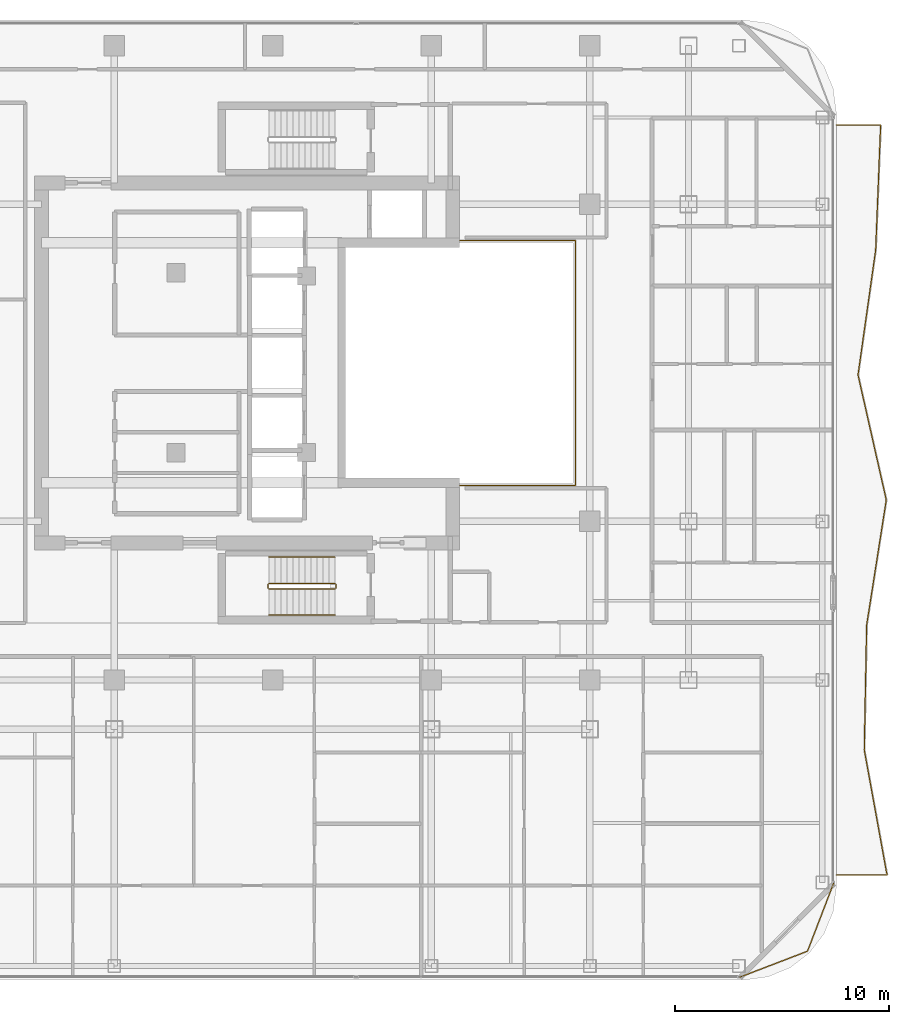
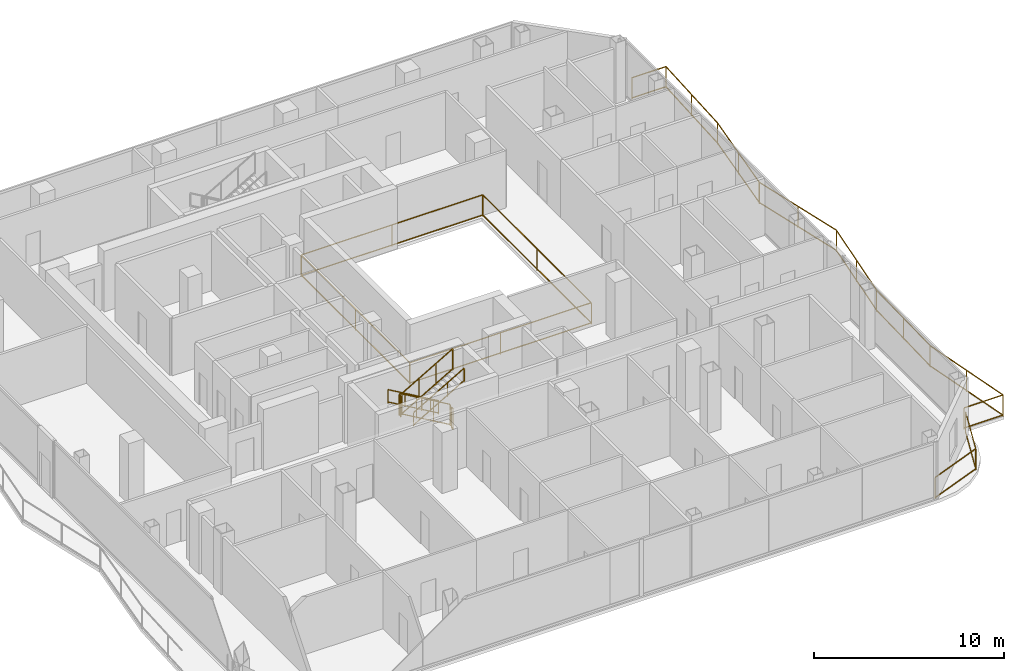
# One storey, part 26 of 27: 9 railings.
"""IFC4 building model written with IfcOpenShell, lengths in metres."""

from ifc_helpers import new_model, si_unit, direction, frame, origin, origin_2d, place, context, subcontext, project, spatial, rectangle, extrude, material, type_object, element, save


model = new_model("IFC4")

# Units and contexts
model_context = context("Model", 3, precision=1e-05, world=origin(), true_north=direction((0.0, 1.0)))
body_context = subcontext(model_context, "Body", "Model", "MODEL_VIEW")
ifc_project = project(units=[si_unit("LENGTHUNIT", "METRE"), si_unit("AREAUNIT", "SQUARE_METRE"), si_unit("VOLUMEUNIT", "CUBIC_METRE"), si_unit("PLANEANGLEUNIT", "RADIAN"), si_unit("MASSUNIT", "GRAM", prefix="KILO")], contexts=[model_context])

# Site, building, storey
site_placement = place(None, origin())
site = spatial("IfcSite", under=ifc_project, at=site_placement, CompositionType="ELEMENT")
building_placement = place(site_placement, origin())
building = spatial("IfcBuilding", under=site, at=building_placement, Name="Khorvyn Point Tower", CompositionType="ELEMENT")
storey_placement = place(building_placement, frame((0.0, 0.0, 243.0)))
storey = spatial("IfcBuildingStorey", under=building, at=storey_placement, Name="L59", CompositionType="ELEMENT", Elevation=243.0)

# Railings
ifc_material_1 = material(Name="Stainless steel 1.4401 and laminated glass", Category="steel")
railing_type_1 = type_object("IfcRailingType", Name="Crystal Atrium Smoke-Rated Perimeter Guardrail 1400", PredefinedType="GUARDRAIL", material=ifc_material_1)
railing_1_placement = place(storey_placement, frame((3.080078125, -5.719970703125, 0.0)))
element("IfcRailing", 1, at=railing_1_placement, inside=storey, type_object=railing_type_1, Name="L59 Crystal Atrium Perimeter Guardrail", PredefinedType="GUARDRAIL", context=body_context, shape_type="SweptSolid", body=[
    extrude(rectangle(XDim=0.048095703125, YDim=0.048095703125, at=origin_2d()), frame((0.0, 0.0, 1.3759765625), z_axis=(1.0, 0.0, 0.0), x_axis=(0.0, 1.0, 0.0)), (0.0, 0.0, 1.0), 11.0400390625),
    extrude(rectangle(XDim=0.048095703125, YDim=0.048095703125, at=origin_2d()), frame((0.0, 0.0, 0.080078125), z_axis=(1.0, 0.0, 0.0), x_axis=(0.0, 1.0, 0.0)), (0.0, 0.0, 1.0), 11.0400390625),
    extrude(rectangle(XDim=0.048095703125, YDim=0.048095703125, at=origin_2d()), frame((11.0400390625, 0.0, 1.3759765625), z_axis=(0.0, 1.0, 0.0), x_axis=(-1.0, 0.0, 0.0)), (0.0, 0.0, 1.0), 11.43994140625),
    extrude(rectangle(XDim=0.048095703125, YDim=0.048095703125, at=origin_2d()), frame((11.0400390625, 0.0, 0.080078125), z_axis=(0.0, 1.0, 0.0), x_axis=(-1.0, 0.0, 0.0)), (0.0, 0.0, 1.0), 11.43994140625),
    extrude(rectangle(XDim=0.048095703125, YDim=0.048095703125, at=origin_2d()), frame((11.0400390625, 11.43994140625, 1.3759765625), z_axis=(-1.0, 0.0, 0.0), x_axis=(0.0, -1.0, 0.0)), (0.0, 0.0, 1.0), 11.0400390625),
    extrude(rectangle(XDim=0.048095703125, YDim=0.048095703125, at=origin_2d()), frame((11.0400390625, 11.43994140625, 0.080078125), z_axis=(-1.0, 0.0, 0.0), x_axis=(0.0, -1.0, 0.0)), (0.0, 0.0, 1.0), 11.0400390625),
    extrude(rectangle(XDim=0.048095703125, YDim=0.048095703125, at=origin_2d()), frame((0.0, 11.43994140625, 1.3759765625), z_axis=(0.0, -1.0, 0.0), x_axis=(1.0, 0.0, 0.0)), (0.0, 0.0, 1.0), 11.409912109375),
    extrude(rectangle(XDim=0.048095703125, YDim=0.048095703125, at=origin_2d()), frame((0.0, 11.43994140625, 0.080078125), z_axis=(0.0, -1.0, 0.0), x_axis=(1.0, 0.0, 0.0)), (0.0, 0.0, 1.0), 11.409912109375),
    extrude(rectangle(XDim=0.0419921875, YDim=0.0419921875, at=origin_2d()), origin(), (0.0, 0.0, 1.0), 1.351806640625),
    extrude(rectangle(XDim=0.0419921875, YDim=0.0419921875, at=origin_2d()), frame((5.52001953125, 0.0, 0.0)), (0.0, 0.0, 1.0), 1.351806640625),
    extrude(rectangle(XDim=0.0419921875, YDim=0.0419921875, at=origin_2d()), frame((11.0400390625, 0.0, 0.0)), (0.0, 0.0, 1.0), 1.351806640625),
    extrude(rectangle(XDim=0.0419921875, YDim=0.0419921875, at=origin_2d()), frame((11.0400390625, 5.719970703125, 0.0)), (0.0, 0.0, 1.0), 1.351806640625),
    extrude(rectangle(XDim=0.0419921875, YDim=0.0419921875, at=origin_2d()), frame((11.0400390625, 11.43994140625, 0.0)), (0.0, 0.0, 1.0), 1.351806640625),
    extrude(rectangle(XDim=0.0419921875, YDim=0.0419921875, at=origin_2d()), frame((5.52001953125, 11.43994140625, 0.0)), (0.0, 0.0, 1.0), 1.351806640625),
    extrude(rectangle(XDim=0.0419921875, YDim=0.0419921875, at=origin_2d()), frame((0.0, 11.43994140625, 0.0)), (0.0, 0.0, 1.0), 1.351806640625),
    extrude(rectangle(XDim=0.0419921875, YDim=0.0419921875, at=origin_2d()), frame((0.0, 5.73486328125, 0.0)), (0.0, 0.0, 1.0), 1.351806640625),
    extrude(rectangle(XDim=0.0419921875, YDim=0.0419921875, at=origin_2d()), frame((0.0, 0.030029296875, 0.0)), (0.0, 0.0, 1.0), 1.351806640625),
])
ifc_material_2 = material(Name="Anodised aluminium 6063-T6 and laminated safety glass", Category="aluminium")
railing_type_2 = type_object("IfcRailingType", Name="Laminated Glass and Aluminium Balcony Guardrail 1400", PredefinedType="BALUSTRADE", material=ifc_material_2)
railing_2_placement = place(storey_placement, frame((21.78125, -28.67431640625, 0.0)))
element("IfcRailing", 2, at=railing_2_placement, inside=storey, type_object=railing_type_2, Name="L59 Rounded Corner Edge Guardrail SE", PredefinedType="BALUSTRADE", context=body_context, shape_type="SweptSolid", body=[
    extrude(rectangle(XDim=0.048095703125, YDim=0.048095703125, at=origin_2d()), frame((0.0, 0.0, 1.3759765625), z_axis=(0.933589651443, 0.358343916815, 0.0), x_axis=(-0.358343916815, 0.933589651443, 0.0)), (0.0, 0.0, 1.0), 3.400390625),
    extrude(rectangle(XDim=0.048095703125, YDim=0.048095703125, at=origin_2d()), frame((0.0, 0.0, 0.080078125), z_axis=(0.933589651443, 0.358343916815, 0.0), x_axis=(-0.358343916815, 0.933589651443, 0.0)), (0.0, 0.0, 1.0), 3.400390625),
    extrude(rectangle(XDim=0.048095703125, YDim=0.048095703125, at=origin_2d()), frame((3.174560546875, 1.218505859375, 1.3759765625), z_axis=(0.358343916815, 0.933589651443, 0.0), x_axis=(-0.933589651443, 0.358343916815, 0.0)), (0.0, 0.0, 1.0), 3.400390625),
    extrude(rectangle(XDim=0.048095703125, YDim=0.048095703125, at=origin_2d()), frame((3.174560546875, 1.218505859375, 0.080078125), z_axis=(0.358343916815, 0.933589651443, 0.0), x_axis=(-0.933589651443, 0.358343916815, 0.0)), (0.0, 0.0, 1.0), 3.400390625),
    extrude(rectangle(XDim=0.0419921875, YDim=0.0419921875, at=origin_2d()), origin(), (0.0, 0.0, 1.0), 1.351806640625),
    extrude(rectangle(XDim=0.0419921875, YDim=0.0419921875, at=origin_2d()), frame((3.174560546875, 1.218505859375, 0.0)), (0.0, 0.0, 1.0), 1.351806640625),
    extrude(rectangle(XDim=0.0419921875, YDim=0.0419921875, at=origin_2d()), frame((4.39306640625, 4.39306640625, 0.0)), (0.0, 0.0, 1.0), 1.351806640625),
])
railing_3_placement = place(storey_placement, frame((26.300048828125, -23.89990234375, 0.0)))
element("IfcRailing", 3, at=railing_3_placement, inside=storey, type_object=railing_type_2, Name="L59 East Balcony Guardrail", PredefinedType="BALUSTRADE", context=body_context, shape_type="SweptSolid", body=[
    extrude(rectangle(XDim=0.048095703125, YDim=0.048095703125, at=origin_2d()), frame((0.0, 0.0, 1.3759765625), z_axis=(1.0, 0.0, 0.0), x_axis=(0.0, 1.0, 0.0)), (0.0, 0.0, 1.0), 2.36669921875),
    extrude(rectangle(XDim=0.048095703125, YDim=0.048095703125, at=origin_2d()), frame((0.0, 0.0, 0.080078125), z_axis=(1.0, 0.0, 0.0), x_axis=(0.0, 1.0, 0.0)), (0.0, 0.0, 1.0), 2.36669921875),
    extrude(rectangle(XDim=0.048095703125, YDim=0.048095703125, at=origin_2d()), frame((2.36669921875, 0.0, 1.3759765625), z_axis=(-0.179356454853, 0.983784154224, 0.0), x_axis=(-0.983784154224, -0.179356454853, 0.0)), (0.0, 0.0, 1.0), 5.929443359375),
    extrude(rectangle(XDim=0.048095703125, YDim=0.048095703125, at=origin_2d()), frame((2.36669921875, 0.0, 0.080078125), z_axis=(-0.179356454853, 0.983784154224, 0.0), x_axis=(-0.983784154224, -0.179356454853, 0.0)), (0.0, 0.0, 1.0), 5.929443359375),
    extrude(rectangle(XDim=0.048095703125, YDim=0.048095703125, at=origin_2d()), frame((1.30322265625, 5.833251953125, 1.3759765625), z_axis=(0.01924893367, 0.999814722112, 0.0), x_axis=(-0.999814722112, 0.01924893367, 0.0)), (0.0, 0.0, 1.0), 5.834228515625),
    extrude(rectangle(XDim=0.048095703125, YDim=0.048095703125, at=origin_2d()), frame((1.30322265625, 5.833251953125, 0.080078125), z_axis=(0.01924893367, 0.999814722112, 0.0), x_axis=(-0.999814722112, 0.01924893367, 0.0)), (0.0, 0.0, 1.0), 5.834228515625),
    extrude(rectangle(XDim=0.048095703125, YDim=0.048095703125, at=origin_2d()), frame((1.41552734375, 11.66650390625, 1.3759765625), z_axis=(0.155004956576, 0.987913692301, 0.0), x_axis=(-0.987913692301, 0.155004956576, 0.0)), (0.0, 0.0, 1.0), 5.90478515625),
    extrude(rectangle(XDim=0.048095703125, YDim=0.048095703125, at=origin_2d()), frame((1.41552734375, 11.66650390625, 0.080078125), z_axis=(0.155004956576, 0.987913692301, 0.0), x_axis=(-0.987913692301, 0.155004956576, 0.0)), (0.0, 0.0, 1.0), 5.90478515625),
    extrude(rectangle(XDim=0.048095703125, YDim=0.048095703125, at=origin_2d()), frame((2.330810546875, 17.5, 1.3759765625), z_axis=(-0.2206029152, 0.975363703346, 0.0), x_axis=(-0.975363703346, -0.2206029152, 0.0)), (0.0, 0.0, 1.0), 5.980712890625),
    extrude(rectangle(XDim=0.048095703125, YDim=0.048095703125, at=origin_2d()), frame((2.330810546875, 17.5, 0.080078125), z_axis=(-0.2206029152, 0.975363703346, 0.0), x_axis=(-0.975363703346, -0.2206029152, 0.0)), (0.0, 0.0, 1.0), 5.980712890625),
    extrude(rectangle(XDim=0.048095703125, YDim=0.048095703125, at=origin_2d()), frame((1.011474609375, 23.333251953125, 1.3759765625), z_axis=(0.139947544031, 0.990158919022, 0.0), x_axis=(-0.990158919022, 0.139947544031, 0.0)), (0.0, 0.0, 1.0), 5.89111328125),
    extrude(rectangle(XDim=0.048095703125, YDim=0.048095703125, at=origin_2d()), frame((1.011474609375, 23.333251953125, 0.080078125), z_axis=(0.139947544031, 0.990158919022, 0.0), x_axis=(-0.990158919022, 0.139947544031, 0.0)), (0.0, 0.0, 1.0), 5.89111328125),
    extrude(rectangle(XDim=0.048095703125, YDim=0.048095703125, at=origin_2d()), frame((1.8359375, 29.16650390625, 1.3759765625), z_axis=(0.039769299947, 0.999208888462, 0.0), x_axis=(-0.999208888462, 0.039769299947, 0.0)), (0.0, 0.0, 1.0), 5.838134765625),
    extrude(rectangle(XDim=0.048095703125, YDim=0.048095703125, at=origin_2d()), frame((1.8359375, 29.16650390625, 0.080078125), z_axis=(0.039769299947, 0.999208888462, 0.0), x_axis=(-0.999208888462, 0.039769299947, 0.0)), (0.0, 0.0, 1.0), 5.838134765625),
    extrude(rectangle(XDim=0.048095703125, YDim=0.048095703125, at=origin_2d()), frame((2.068115234375, 35.0, 1.3759765625), z_axis=(-1.0, 0.0, 0.0), x_axis=(0.0, -1.0, 0.0)), (0.0, 0.0, 1.0), 2.068115234375),
    extrude(rectangle(XDim=0.048095703125, YDim=0.048095703125, at=origin_2d()), frame((2.068115234375, 35.0, 0.080078125), z_axis=(-1.0, 0.0, 0.0), x_axis=(0.0, -1.0, 0.0)), (0.0, 0.0, 1.0), 2.068115234375),
    extrude(rectangle(XDim=0.0419921875, YDim=0.0419921875, at=origin_2d()), origin(), (0.0, 0.0, 1.0), 1.351806640625),
    extrude(rectangle(XDim=0.0419921875, YDim=0.0419921875, at=origin_2d()), frame((2.36669921875, 0.0, 0.0)), (0.0, 0.0, 1.0), 1.351806640625),
    extrude(rectangle(XDim=0.0419921875, YDim=0.0419921875, at=origin_2d()), frame((1.8349609375, 2.91650390625, 0.0)), (0.0, 0.0, 1.0), 1.351806640625),
    extrude(rectangle(XDim=0.0419921875, YDim=0.0419921875, at=origin_2d()), frame((1.30322265625, 5.833251953125, 0.0)), (0.0, 0.0, 1.0), 1.351806640625),
    extrude(rectangle(XDim=0.0419921875, YDim=0.0419921875, at=origin_2d()), frame((1.359375, 8.75, 0.0)), (0.0, 0.0, 1.0), 1.351806640625),
    extrude(rectangle(XDim=0.0419921875, YDim=0.0419921875, at=origin_2d()), frame((1.41552734375, 11.66650390625, 0.0)), (0.0, 0.0, 1.0), 1.351806640625),
    extrude(rectangle(XDim=0.0419921875, YDim=0.0419921875, at=origin_2d()), frame((1.873046875, 14.583251953125, 0.0)), (0.0, 0.0, 1.0), 1.351806640625),
    extrude(rectangle(XDim=0.0419921875, YDim=0.0419921875, at=origin_2d()), frame((2.330810546875, 17.5, 0.0)), (0.0, 0.0, 1.0), 1.351806640625),
    extrude(rectangle(XDim=0.0419921875, YDim=0.0419921875, at=origin_2d()), frame((1.671142578125, 20.41650390625, 0.0)), (0.0, 0.0, 1.0), 1.351806640625),
    extrude(rectangle(XDim=0.0419921875, YDim=0.0419921875, at=origin_2d()), frame((1.011474609375, 23.333251953125, 0.0)), (0.0, 0.0, 1.0), 1.351806640625),
    extrude(rectangle(XDim=0.0419921875, YDim=0.0419921875, at=origin_2d()), frame((1.423828125, 26.25, 0.0)), (0.0, 0.0, 1.0), 1.351806640625),
    extrude(rectangle(XDim=0.0419921875, YDim=0.0419921875, at=origin_2d()), frame((1.8359375, 29.16650390625, 0.0)), (0.0, 0.0, 1.0), 1.351806640625),
    extrude(rectangle(XDim=0.0419921875, YDim=0.0419921875, at=origin_2d()), frame((1.9521484375, 32.083251953125, 0.0)), (0.0, 0.0, 1.0), 1.351806640625),
    extrude(rectangle(XDim=0.0419921875, YDim=0.0419921875, at=origin_2d()), frame((2.068115234375, 35.0, 0.0)), (0.0, 0.0, 1.0), 1.351806640625),
    extrude(rectangle(XDim=0.0419921875, YDim=0.0419921875, at=origin_2d()), frame((0.0, 35.0, 0.0)), (0.0, 0.0, 1.0), 1.351806640625),
])
ifc_material_3 = material(Name="Stainless steel 1.4301", Category="steel")
railing_type_3 = type_object("IfcRailingType", Name="Stainless Steel 304 Stair Pitch Handrail 900", PredefinedType="HANDRAIL", material=ifc_material_3)
railing_4_placement = place(storey_placement, frame((2.89990234375, -9.070068359375, 0.16259765625)))
element("IfcRailing", 4, at=railing_4_placement, inside=storey, type_object=railing_type_3, Name="L59 ST-01 stair handrail 1", PredefinedType="HANDRAIL", context=body_context, shape_type="SweptSolid", body=[
    extrude(rectangle(XDim=0.048095703125, YDim=0.048095703125, at=origin_2d()), frame((0.0, 0.0, 0.8759765625), z_axis=(-0.864903211148, 0.0, 0.501938676878), x_axis=(0.0, -1.0, 0.0)), (0.0, 0.0, 1.0), 3.560791015625),
    extrude(rectangle(XDim=0.048095703125, YDim=0.048095703125, at=origin_2d()), frame((0.0, 0.0, 0.080078125), z_axis=(-0.864903211148, 0.0, 0.501938676878), x_axis=(0.0, -1.0, 0.0)), (0.0, 0.0, 1.0), 3.560791015625),
    extrude(rectangle(XDim=0.0419921875, YDim=0.0419921875, at=origin_2d()), origin(), (0.0, 0.0, 1.0), 0.851806640625),
    extrude(rectangle(XDim=0.0419921875, YDim=0.0419921875, at=origin_2d()), frame((-1.026611328125, 0.0, 0.595703125)), (0.0, 0.0, 1.0), 0.851806640625),
    extrude(rectangle(XDim=0.0419921875, YDim=0.0419921875, at=origin_2d()), frame((-2.05322265625, 0.0, 1.191650390625)), (0.0, 0.0, 1.0), 0.851806640625),
    extrude(rectangle(XDim=0.0419921875, YDim=0.0419921875, at=origin_2d()), frame((-3.079833984375, 0.0, 1.787353515625)), (0.0, 0.0, 1.0), 0.851806640625),
])
railing_5_placement = place(storey_placement, frame((-0.179931640625, -11.77001953125, 2.112548828125)))
element("IfcRailing", 5, at=railing_5_placement, inside=storey, type_object=railing_type_3, Name="L59 ST-01 stair handrail 2", PredefinedType="HANDRAIL", context=body_context, shape_type="SweptSolid", body=[
    extrude(rectangle(XDim=0.048095703125, YDim=0.048095703125, at=origin_2d()), frame((0.0, 0.0, 0.8759765625), z_axis=(0.864903211148, 0.0, 0.501938676878), x_axis=(0.0, 1.0, 0.0)), (0.0, 0.0, 1.0), 3.560791015625),
    extrude(rectangle(XDim=0.048095703125, YDim=0.048095703125, at=origin_2d()), frame((0.0, 0.0, 0.080078125), z_axis=(0.864903211148, 0.0, 0.501938676878), x_axis=(0.0, 1.0, 0.0)), (0.0, 0.0, 1.0), 3.560791015625),
    extrude(rectangle(XDim=0.0419921875, YDim=0.0419921875, at=origin_2d()), origin(), (0.0, 0.0, 1.0), 0.851806640625),
    extrude(rectangle(XDim=0.0419921875, YDim=0.0419921875, at=origin_2d()), frame((1.026611328125, 0.0, 0.595703125)), (0.0, 0.0, 1.0), 0.851806640625),
    extrude(rectangle(XDim=0.0419921875, YDim=0.0419921875, at=origin_2d()), frame((2.05322265625, 0.0, 1.191650390625)), (0.0, 0.0, 1.0), 0.851806640625),
    extrude(rectangle(XDim=0.0419921875, YDim=0.0419921875, at=origin_2d()), frame((3.079833984375, 0.0, 1.787353515625)), (0.0, 0.0, 1.0), 0.851806640625),
])
railing_type_4 = type_object("IfcRailingType", Name="Stainless Steel 304 Stair Well Guardrail 1400", PredefinedType="GUARDRAIL", material=ifc_material_3)
railing_6_placement = place(storey_placement, frame((2.89990234375, -10.2900390625, 0.16259765625)))
element("IfcRailing", 6, at=railing_6_placement, inside=storey, type_object=railing_type_4, Name="L59 ST-01 stair guard 1", PredefinedType="GUARDRAIL", context=body_context, shape_type="SweptSolid", body=[
    extrude(rectangle(XDim=0.048095703125, YDim=0.048095703125, at=origin_2d()), frame((0.0, 0.0, 1.3759765625), z_axis=(-0.864903211148, 0.0, 0.501938676878), x_axis=(0.0, -1.0, 0.0)), (0.0, 0.0, 1.0), 3.560791015625),
    extrude(rectangle(XDim=0.048095703125, YDim=0.048095703125, at=origin_2d()), frame((0.0, 0.0, 0.080078125), z_axis=(-0.864903211148, 0.0, 0.501938676878), x_axis=(0.0, -1.0, 0.0)), (0.0, 0.0, 1.0), 3.560791015625),
    extrude(rectangle(XDim=0.0419921875, YDim=0.0419921875, at=origin_2d()), origin(), (0.0, 0.0, 1.0), 1.351806640625),
    extrude(rectangle(XDim=0.0419921875, YDim=0.0419921875, at=origin_2d()), frame((-1.026611328125, 0.0, 0.595703125)), (0.0, 0.0, 1.0), 1.351806640625),
    extrude(rectangle(XDim=0.0419921875, YDim=0.0419921875, at=origin_2d()), frame((-2.05322265625, 0.0, 1.191650390625)), (0.0, 0.0, 1.0), 1.351806640625),
    extrude(rectangle(XDim=0.0419921875, YDim=0.0419921875, at=origin_2d()), frame((-3.079833984375, 0.0, 1.787353515625)), (0.0, 0.0, 1.0), 1.351806640625),
])
railing_7_placement = place(storey_placement, frame((-0.22998046875, -10.340087890625, 1.949951171875)))
element("IfcRailing", 7, at=railing_7_placement, inside=storey, type_object=railing_type_4, Name="L59 ST-01 stair guard 2", PredefinedType="GUARDRAIL", context=body_context, shape_type="SweptSolid", body=[
    extrude(rectangle(XDim=0.048095703125, YDim=0.048095703125, at=origin_2d()), frame((0.0, 0.0, 1.3759765625), z_axis=(0.0, -1.0, 0.0), x_axis=(1.0, 0.0, 0.0)), (0.0, 0.0, 1.0), 0.159912109375),
    extrude(rectangle(XDim=0.048095703125, YDim=0.048095703125, at=origin_2d()), frame((0.0, 0.0, 0.080078125), z_axis=(0.0, -1.0, 0.0), x_axis=(1.0, 0.0, 0.0)), (0.0, 0.0, 1.0), 0.159912109375),
    extrude(rectangle(XDim=0.0419921875, YDim=0.0419921875, at=origin_2d()), origin(), (0.0, 0.0, 1.0), 1.351806640625),
    extrude(rectangle(XDim=0.0419921875, YDim=0.0419921875, at=origin_2d()), frame((0.0, -0.159912109375, 0.0)), (0.0, 0.0, 1.0), 1.351806640625),
])
railing_8_placement = place(storey_placement, frame((-0.179931640625, -10.550048828125, 2.112548828125)))
element("IfcRailing", 8, at=railing_8_placement, inside=storey, type_object=railing_type_4, Name="L59 ST-01 stair guard 3", PredefinedType="GUARDRAIL", context=body_context, shape_type="SweptSolid", body=[
    extrude(rectangle(XDim=0.048095703125, YDim=0.048095703125, at=origin_2d()), frame((0.0, 0.0, 1.3759765625), z_axis=(0.864903211148, 0.0, 0.501938676878), x_axis=(0.0, 1.0, 0.0)), (0.0, 0.0, 1.0), 3.560791015625),
    extrude(rectangle(XDim=0.048095703125, YDim=0.048095703125, at=origin_2d()), frame((0.0, 0.0, 0.080078125), z_axis=(0.864903211148, 0.0, 0.501938676878), x_axis=(0.0, 1.0, 0.0)), (0.0, 0.0, 1.0), 3.560791015625),
    extrude(rectangle(XDim=0.0419921875, YDim=0.0419921875, at=origin_2d()), origin(), (0.0, 0.0, 1.0), 1.351806640625),
    extrude(rectangle(XDim=0.0419921875, YDim=0.0419921875, at=origin_2d()), frame((1.026611328125, 0.0, 0.595703125)), (0.0, 0.0, 1.0), 1.351806640625),
    extrude(rectangle(XDim=0.0419921875, YDim=0.0419921875, at=origin_2d()), frame((2.05322265625, 0.0, 1.191650390625)), (0.0, 0.0, 1.0), 1.351806640625),
    extrude(rectangle(XDim=0.0419921875, YDim=0.0419921875, at=origin_2d()), frame((3.079833984375, 0.0, 1.787353515625)), (0.0, 0.0, 1.0), 1.351806640625),
])
railing_9_placement = place(storey_placement, frame((2.949951171875, -10.340087890625, 0.0)))
element("IfcRailing", 9, at=railing_9_placement, inside=storey, type_object=railing_type_4, Name="L59 ST-01 stair guard 4", PredefinedType="GUARDRAIL", context=body_context, shape_type="SweptSolid", body=[
    extrude(rectangle(XDim=0.048095703125, YDim=0.048095703125, at=origin_2d()), frame((0.0, 0.0, 1.3759765625), z_axis=(0.0, -1.0, 0.0), x_axis=(1.0, 0.0, 0.0)), (0.0, 0.0, 1.0), 0.159912109375),
    extrude(rectangle(XDim=0.048095703125, YDim=0.048095703125, at=origin_2d()), frame((0.0, 0.0, 0.080078125), z_axis=(0.0, -1.0, 0.0), x_axis=(1.0, 0.0, 0.0)), (0.0, 0.0, 1.0), 0.159912109375),
    extrude(rectangle(XDim=0.0419921875, YDim=0.0419921875, at=origin_2d()), origin(), (0.0, 0.0, 1.0), 1.351806640625),
    extrude(rectangle(XDim=0.0419921875, YDim=0.0419921875, at=origin_2d()), frame((0.0, -0.159912109375, 0.0)), (0.0, 0.0, 1.0), 1.351806640625),
])

save(model, "model.ifc")
